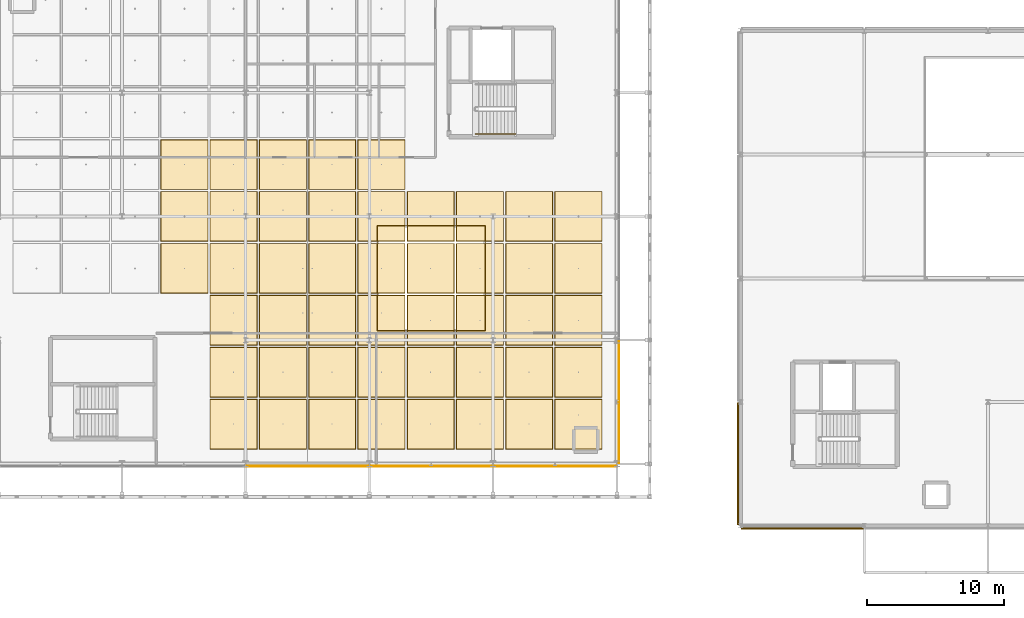
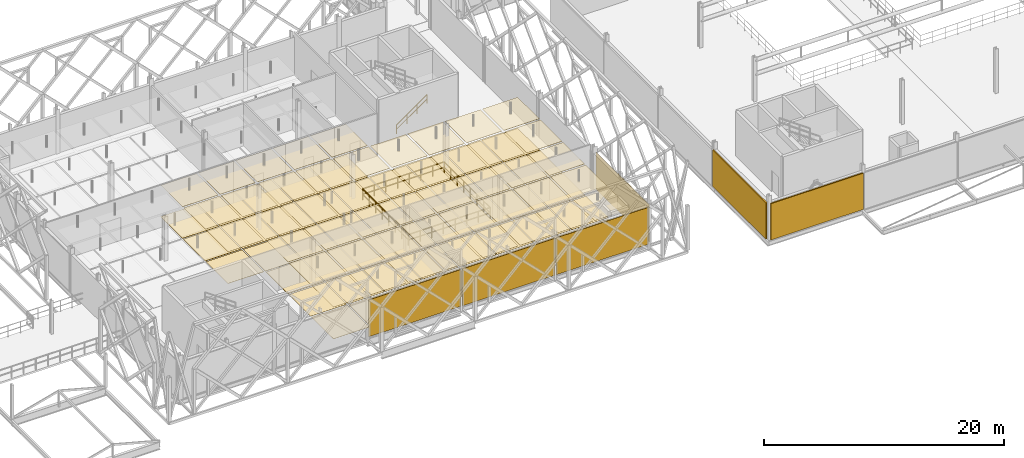
# One storey, part 130 of 140: 100 coverings, 2 railings.
"""IFC4 building model written with IfcOpenShell, lengths in metres."""

from ifc_helpers import new_model, si_unit, direction, frame, origin, origin_2d, place, context, subcontext, project, spatial, rectangle, circle, extrude, material, layer, layer_set, type_object, element, save


model = new_model("IFC4")

# Units and contexts
model_context = context("Model", 3, precision=1e-05, world=origin(), true_north=direction((0.0, 1.0)))
body_context = subcontext(model_context, "Body", "Model", "MODEL_VIEW")
ifc_project = project(units=[si_unit("LENGTHUNIT", "METRE"), si_unit("AREAUNIT", "SQUARE_METRE"), si_unit("VOLUMEUNIT", "CUBIC_METRE"), si_unit("PLANEANGLEUNIT", "RADIAN"), si_unit("MASSUNIT", "GRAM", prefix="KILO"), si_unit("THERMODYNAMICTEMPERATUREUNIT", "KELVIN"), si_unit("POWERUNIT", "WATT")], contexts=[model_context])

# Site, building, storey
site_placement = place(None, origin())
site = spatial("IfcSite", under=ifc_project, at=site_placement, CompositionType="ELEMENT")
building_placement = place(site_placement, origin())
building = spatial("IfcBuilding", under=site, at=building_placement, Name="Tallowbark Science Centre", CompositionType="ELEMENT")
storey_placement = place(building_placement, frame((0.0, 0.0, 9.89990234375)))
storey = spatial("IfcBuildingStorey", under=building, at=storey_placement, Name="L02", CompositionType="ELEMENT", Elevation=9.89990234375)

# Coverings
ifc_material_1 = material(Name="Perforated Spotted Gum Acoustic Baffle Ceiling", Category="wood")
ifc_layer_1 = layer(ifc_material_1, 0.02490234375)
ifc_layer_set_1 = layer_set([ifc_layer_1], Name="Perforated Spotted Gum Acoustic Baffle Ceiling")
covering_type_1 = type_object("IfcCoveringType", Name="CLG-TIM-25", PredefinedType="CEILING", material=ifc_layer_set_1)
for number, where, z_axis, x_axis, name in (
    (1, (72.041748046875, 18.72216796875, 3.187744140625), (0.0, 0.0, 1.0), (1.0, 0.0, 0.0), "Suspended Ceiling L02-786"),
    (2, (72.041748046875, 22.5, 3.187744140625), (0.0, 0.0, 1.0), (1.0, 0.0, 0.0), "Suspended Ceiling L02-787"),
    (3, (72.041748046875, 26.27783203125, 3.187744140625), (0.0, 0.0, 1.0), (1.0, 0.0, 0.0), "Suspended Ceiling L02-788"),
    (4, (75.625, 7.388916015625, 3.187744140625), (0.0, 0.0, 1.0), (1.0, 0.0, 0.0), "Suspended Ceiling L02-792"),
    (5, (75.625, 11.166748046875, 3.187744140625), (0.0, 0.0, 1.0), (1.0, 0.0, 0.0), "Suspended Ceiling L02-793"),
    (6, (75.625, 14.9443359375, 3.187744140625), (0.0, 0.0, 1.0), (1.0, 0.0, 0.0), "Suspended Ceiling L02-794"),
    (7, (75.625, 18.72216796875, 3.187744140625), (0.0, 0.0, 1.0), (1.0, 0.0, 0.0), "Suspended Ceiling L02-795"),
    (8, (75.625, 22.5, 3.187744140625), (0.0, 0.0, 1.0), (1.0, 0.0, 0.0), "Suspended Ceiling L02-796"),
    (9, (75.625, 26.27783203125, 3.187744140625), (0.0, 0.0, 1.0), (1.0, 0.0, 0.0), "Suspended Ceiling L02-797"),
    (10, (79.208251953125, 7.388916015625, 3.187744140625), (0.0, 0.0, 1.0), (1.0, 0.0, 0.0), "Suspended Ceiling L02-801"),
    (11, (79.208251953125, 11.166748046875, 3.187744140625), (0.0, 0.0, 1.0), (1.0, 0.0, 0.0), "Suspended Ceiling L02-802"),
    (12, (79.208251953125, 14.9443359375, 3.187744140625), (0.0, 0.0, 1.0), (1.0, 0.0, 0.0), "Suspended Ceiling L02-803"),
    (13, (79.208251953125, 18.72216796875, 3.187744140625), (0.0, 0.0, 1.0), (1.0, 0.0, 0.0), "Suspended Ceiling L02-804"),
    (14, (79.208251953125, 22.5, 3.187744140625), (0.0, 0.0, 1.0), (1.0, 0.0, 0.0), "Suspended Ceiling L02-805"),
    (15, (79.208251953125, 26.27783203125, 3.187744140625), (0.0, 0.0, 1.0), (1.0, 0.0, 0.0), "Suspended Ceiling L02-806"),
    (16, (82.791748046875, 7.388916015625, 3.187744140625), (0.0, 0.0, 1.0), (1.0, 0.0, 0.0), "Suspended Ceiling L02-810"),
    (17, (82.791748046875, 11.166748046875, 3.187744140625), (0.0, 0.0, 1.0), (1.0, 0.0, 0.0), "Suspended Ceiling L02-811"),
    (18, (82.791748046875, 14.9443359375, 3.187744140625), (0.0, 0.0, 1.0), (1.0, 0.0, 0.0), "Suspended Ceiling L02-812"),
    (19, (82.791748046875, 18.72216796875, 3.187744140625), (0.0, 0.0, 1.0), (1.0, 0.0, 0.0), "Suspended Ceiling L02-813"),
    (20, (82.791748046875, 22.5, 3.187744140625), (0.0, 0.0, 1.0), (1.0, 0.0, 0.0), "Suspended Ceiling L02-814"),
    (21, (82.791748046875, 26.27783203125, 3.187744140625), (0.0, 0.0, 1.0), (1.0, 0.0, 0.0), "Suspended Ceiling L02-815"),
    (22, (86.375, 7.388916015625, 3.187744140625), (0.0, 0.0, 1.0), (1.0, 0.0, 0.0), "Suspended Ceiling L02-819"),
    (23, (86.375, 11.166748046875, 3.187744140625), (0.0, 0.0, 1.0), (1.0, 0.0, 0.0), "Suspended Ceiling L02-820"),
    (24, (86.375, 14.9443359375, 3.187744140625), (0.0, 0.0, 1.0), (1.0, 0.0, 0.0), "Suspended Ceiling L02-821"),
    (25, (86.375, 18.72216796875, 3.187744140625), (0.0, 0.0, 1.0), (1.0, 0.0, 0.0), "Suspended Ceiling L02-822"),
    (26, (86.375, 22.5, 3.187744140625), (0.0, 0.0, 1.0), (1.0, 0.0, 0.0), "Suspended Ceiling L02-823"),
    (27, (86.375, 26.27783203125, 3.187744140625), (0.0, 0.0, 1.0), (1.0, 0.0, 0.0), "Suspended Ceiling L02-824"),
    (28, (89.958251953125, 7.388916015625, 3.187744140625), (0.0, 0.0, 1.0), (1.0, 0.0, 0.0), "Suspended Ceiling L02-828"),
    (29, (89.958251953125, 11.166748046875, 3.187744140625), (0.0, 0.0, 1.0), (1.0, 0.0, 0.0), "Suspended Ceiling L02-829"),
    (30, (89.958251953125, 14.9443359375, 3.187744140625), (0.0, 0.0, 1.0), (1.0, 0.0, 0.0), "Suspended Ceiling L02-830"),
    (31, (89.958251953125, 18.72216796875, 3.187744140625), (0.0, 0.0, 1.0), (1.0, 0.0, 0.0), "Suspended Ceiling L02-831"),
    (32, (89.958251953125, 22.5, 3.187744140625), (0.0, 0.0, 1.0), (1.0, 0.0, 0.0), "Suspended Ceiling L02-832"),
    (33, (93.541748046875, 7.388916015625, 3.187744140625), (0.0, 0.0, 1.0), (1.0, 0.0, 0.0), "Suspended Ceiling L02-833"),
    (34, (93.541748046875, 11.166748046875, 3.187744140625), (0.0, 0.0, 1.0), (1.0, 0.0, 0.0), "Suspended Ceiling L02-834"),
    (35, (93.541748046875, 14.9443359375, 3.187744140625), (0.0, 0.0, 1.0), (1.0, 0.0, 0.0), "Suspended Ceiling L02-835"),
    (36, (93.541748046875, 18.72216796875, 3.187744140625), (0.0, 0.0, 1.0), (1.0, 0.0, 0.0), "Suspended Ceiling L02-836"),
    (37, (93.541748046875, 22.5, 3.187744140625), (0.0, 0.0, 1.0), (1.0, 0.0, 0.0), "Suspended Ceiling L02-837"),
    (38, (97.125, 7.388916015625, 3.187744140625), (0.0, 0.0, 1.0), (1.0, 0.0, 0.0), "Suspended Ceiling L02-838"),
    (39, (97.125, 11.166748046875, 3.187744140625), (0.0, 0.0, 1.0), (1.0, 0.0, 0.0), "Suspended Ceiling L02-839"),
    (40, (97.125, 14.9443359375, 3.187744140625), (0.0, 0.0, 1.0), (1.0, 0.0, 0.0), "Suspended Ceiling L02-840"),
    (41, (97.125, 18.72216796875, 3.187744140625), (0.0, 0.0, 1.0), (1.0, 0.0, 0.0), "Suspended Ceiling L02-841"),
    (42, (97.125, 22.5, 3.187744140625), (0.0, 0.0, 1.0), (1.0, 0.0, 0.0), "Suspended Ceiling L02-842"),
    (43, (100.708251953125, 7.388916015625, 3.187744140625), (0.0, 0.0, 1.0), (1.0, 0.0, 0.0), "Suspended Ceiling L02-843"),
    (44, (100.708251953125, 11.166748046875, 3.187744140625), (0.0, 0.0, 1.0), (1.0, 0.0, 0.0), "Suspended Ceiling L02-844"),
    (45, (100.708251953125, 14.9443359375, 3.187744140625), (0.0, 0.0, 1.0), (1.0, 0.0, 0.0), "Suspended Ceiling L02-845"),
    (46, (100.708251953125, 18.72216796875, 3.187744140625), (0.0, 0.0, 1.0), (1.0, 0.0, 0.0), "Suspended Ceiling L02-846"),
    (47, (100.708251953125, 22.5, 3.187744140625), (0.0, 0.0, 1.0), (1.0, 0.0, 0.0), "Suspended Ceiling L02-847"),
):
    element("IfcCovering", number, at=place(storey_placement, frame(where, z_axis=z_axis, x_axis=x_axis)), inside=storey, type_object=covering_type_1, Name=name, PredefinedType="CEILING", context=body_context, shape_type="SweptSolid", body=[
        extrude(rectangle(XDim=3.4033203125, YDim=3.597900390625, at=origin_2d()), origin(), (0.0, 0.0, 1.0), 0.02490234375),
    ])
ifc_material_2 = material(Name="White Architectural Precast Concrete Grade N40 (40 MPa)", Category="concrete")
ifc_layer_2 = layer(ifc_material_2, 0.1201171875)
ifc_layer_set_2 = layer_set([ifc_layer_2], Name="White Architectural Precast Concrete Grade N40 (40 MPa)")
covering_type_2 = type_object("IfcCoveringType", Name="COV-PRC-CLAD", PredefinedType="CLADDING", material=ifc_layer_set_2)
for number, where, z_axis, x_axis, name in (
    (48, (117.0, -0.1923828125, 0.050048828125), (0.0, 0.0, 1.0), (1.0, 0.0, 0.0), "Architectural Rainscreen THT-S-L02-0"),
    (49, (112.3076171875, 4.5, 0.050048828125), (0.0, 0.0, 1.0), (0.0, -1.0, 0.0), "Architectural Rainscreen THT-W-L02-0"),
):
    element("IfcCovering", number, at=place(storey_placement, frame(where, z_axis=z_axis, x_axis=x_axis)), inside=storey, type_object=covering_type_2, Name=name, PredefinedType="CLADDING", context=body_context, shape_type="SweptSolid", body=[
        extrude(rectangle(XDim=8.8798828125, YDim=0.1201171875, at=origin_2d()), origin(), (0.0, 0.0, 1.0), 3.68115234375),
    ])
ifc_material_3 = material(Name="Spotted Gum Hardwood Architectural Rainscreen", Category="wood")
ifc_layer_3 = layer(ifc_material_3, 0.0419921875)
ifc_layer_set_3 = layer_set([ifc_layer_3], Name="Spotted Gum Hardwood Architectural Rainscreen")
covering_type_3 = type_object("IfcCoveringType", Name="COV-TIM-CLAD", PredefinedType="CLADDING", material=ifc_layer_set_3)
for number, where, z_axis, x_axis, name in (
    (50, (81.0, 4.33154296875, 0.050048828125), (0.0, 0.0, 1.0), (1.0, 0.0, 0.0), "Architectural Rainscreen CUB-S-L02-2"),
    (51, (90.0, 4.33154296875, 0.050048828125), (0.0, 0.0, 1.0), (1.0, 0.0, 0.0), "Architectural Rainscreen CUB-S-L02-3"),
    (52, (99.0, 4.33154296875, 0.050048828125), (0.0, 0.0, 1.0), (1.0, 0.0, 0.0), "Architectural Rainscreen CUB-S-L02-4"),
    (53, (103.66845703125, 9.0, 0.050048828125), (0.0, 0.0, 1.0), (0.0, 1.0, 0.0), "Architectural Rainscreen CUB-E-L02-0"),
):
    element("IfcCovering", number, at=place(storey_placement, frame(where, z_axis=z_axis, x_axis=x_axis)), inside=storey, type_object=covering_type_3, Name=name, PredefinedType="CLADDING", context=body_context, shape_type="SweptSolid", body=[
        extrude(rectangle(XDim=8.8798828125, YDim=0.0419921875, at=origin_2d()), origin(), (0.0, 0.0, 1.0), 3.74609375),
    ])
ifc_material_4 = material(Name="Engineered Blackbutt Gallery Timber Flooring", Category="wood")
ifc_layer_4 = layer(ifc_material_4, 0.02197265625)
ifc_layer_set_4 = layer_set([ifc_layer_4], Name="Engineered Blackbutt Gallery Timber Flooring")
covering_type_4 = type_object("IfcCoveringType", Name="FLR-TIM-22", PredefinedType="FLOORING", material=ifc_layer_set_4)
for number, where, z_axis, x_axis, name in (
    (54, (72.041748046875, 18.72216796875, 0.0), (0.0, 0.0, 1.0), (1.0, 0.0, 0.0), "Floor Finish L02-786"),
    (55, (72.041748046875, 22.5, 0.0), (0.0, 0.0, 1.0), (1.0, 0.0, 0.0), "Floor Finish L02-787"),
    (56, (72.041748046875, 26.27783203125, 0.0), (0.0, 0.0, 1.0), (1.0, 0.0, 0.0), "Floor Finish L02-788"),
    (57, (75.625, 7.388916015625, 0.0), (0.0, 0.0, 1.0), (1.0, 0.0, 0.0), "Floor Finish L02-792"),
    (58, (75.625, 11.166748046875, 0.0), (0.0, 0.0, 1.0), (1.0, 0.0, 0.0), "Floor Finish L02-793"),
    (59, (75.625, 14.9443359375, 0.0), (0.0, 0.0, 1.0), (1.0, 0.0, 0.0), "Floor Finish L02-794"),
    (60, (75.625, 18.72216796875, 0.0), (0.0, 0.0, 1.0), (1.0, 0.0, 0.0), "Floor Finish L02-795"),
    (61, (75.625, 22.5, 0.0), (0.0, 0.0, 1.0), (1.0, 0.0, 0.0), "Floor Finish L02-796"),
    (62, (75.625, 26.27783203125, 0.0), (0.0, 0.0, 1.0), (1.0, 0.0, 0.0), "Floor Finish L02-797"),
    (63, (79.208251953125, 7.388916015625, 0.0), (0.0, 0.0, 1.0), (1.0, 0.0, 0.0), "Floor Finish L02-801"),
    (64, (79.208251953125, 11.166748046875, 0.0), (0.0, 0.0, 1.0), (1.0, 0.0, 0.0), "Floor Finish L02-802"),
    (65, (79.208251953125, 14.9443359375, 0.0), (0.0, 0.0, 1.0), (1.0, 0.0, 0.0), "Floor Finish L02-803"),
    (66, (79.208251953125, 18.72216796875, 0.0), (0.0, 0.0, 1.0), (1.0, 0.0, 0.0), "Floor Finish L02-804"),
    (67, (79.208251953125, 22.5, 0.0), (0.0, 0.0, 1.0), (1.0, 0.0, 0.0), "Floor Finish L02-805"),
    (68, (79.208251953125, 26.27783203125, 0.0), (0.0, 0.0, 1.0), (1.0, 0.0, 0.0), "Floor Finish L02-806"),
    (69, (82.791748046875, 7.388916015625, 0.0), (0.0, 0.0, 1.0), (1.0, 0.0, 0.0), "Floor Finish L02-810"),
    (70, (82.791748046875, 11.166748046875, 0.0), (0.0, 0.0, 1.0), (1.0, 0.0, 0.0), "Floor Finish L02-811"),
    (71, (82.791748046875, 14.9443359375, 0.0), (0.0, 0.0, 1.0), (1.0, 0.0, 0.0), "Floor Finish L02-812"),
    (72, (82.791748046875, 18.72216796875, 0.0), (0.0, 0.0, 1.0), (1.0, 0.0, 0.0), "Floor Finish L02-813"),
    (73, (82.791748046875, 22.5, 0.0), (0.0, 0.0, 1.0), (1.0, 0.0, 0.0), "Floor Finish L02-814"),
    (74, (82.791748046875, 26.27783203125, 0.0), (0.0, 0.0, 1.0), (1.0, 0.0, 0.0), "Floor Finish L02-815"),
    (75, (86.375, 7.388916015625, 0.0), (0.0, 0.0, 1.0), (1.0, 0.0, 0.0), "Floor Finish L02-819"),
    (76, (86.375, 11.166748046875, 0.0), (0.0, 0.0, 1.0), (1.0, 0.0, 0.0), "Floor Finish L02-820"),
    (77, (86.375, 14.9443359375, 0.0), (0.0, 0.0, 1.0), (1.0, 0.0, 0.0), "Floor Finish L02-821"),
    (78, (86.375, 18.72216796875, 0.0), (0.0, 0.0, 1.0), (1.0, 0.0, 0.0), "Floor Finish L02-822"),
    (79, (86.375, 22.5, 0.0), (0.0, 0.0, 1.0), (1.0, 0.0, 0.0), "Floor Finish L02-823"),
    (80, (86.375, 26.27783203125, 0.0), (0.0, 0.0, 1.0), (1.0, 0.0, 0.0), "Floor Finish L02-824"),
    (81, (89.958251953125, 7.388916015625, 0.0), (0.0, 0.0, 1.0), (1.0, 0.0, 0.0), "Floor Finish L02-828"),
    (82, (89.958251953125, 11.166748046875, 0.0), (0.0, 0.0, 1.0), (1.0, 0.0, 0.0), "Floor Finish L02-829"),
    (83, (89.958251953125, 14.9443359375, 0.0), (0.0, 0.0, 1.0), (1.0, 0.0, 0.0), "Floor Finish L02-830"),
    (84, (89.958251953125, 18.72216796875, 0.0), (0.0, 0.0, 1.0), (1.0, 0.0, 0.0), "Floor Finish L02-831"),
    (85, (89.958251953125, 22.5, 0.0), (0.0, 0.0, 1.0), (1.0, 0.0, 0.0), "Floor Finish L02-832"),
    (86, (93.541748046875, 7.388916015625, 0.0), (0.0, 0.0, 1.0), (1.0, 0.0, 0.0), "Floor Finish L02-833"),
    (87, (93.541748046875, 11.166748046875, 0.0), (0.0, 0.0, 1.0), (1.0, 0.0, 0.0), "Floor Finish L02-834"),
    (88, (93.541748046875, 14.9443359375, 0.0), (0.0, 0.0, 1.0), (1.0, 0.0, 0.0), "Floor Finish L02-835"),
    (89, (93.541748046875, 18.72216796875, 0.0), (0.0, 0.0, 1.0), (1.0, 0.0, 0.0), "Floor Finish L02-836"),
    (90, (93.541748046875, 22.5, 0.0), (0.0, 0.0, 1.0), (1.0, 0.0, 0.0), "Floor Finish L02-837"),
    (91, (97.125, 7.388916015625, 0.0), (0.0, 0.0, 1.0), (1.0, 0.0, 0.0), "Floor Finish L02-838"),
    (92, (97.125, 11.166748046875, 0.0), (0.0, 0.0, 1.0), (1.0, 0.0, 0.0), "Floor Finish L02-839"),
    (93, (97.125, 14.9443359375, 0.0), (0.0, 0.0, 1.0), (1.0, 0.0, 0.0), "Floor Finish L02-840"),
    (94, (97.125, 18.72216796875, 0.0), (0.0, 0.0, 1.0), (1.0, 0.0, 0.0), "Floor Finish L02-841"),
    (95, (97.125, 22.5, 0.0), (0.0, 0.0, 1.0), (1.0, 0.0, 0.0), "Floor Finish L02-842"),
    (96, (100.708251953125, 7.388916015625, 0.0), (0.0, 0.0, 1.0), (1.0, 0.0, 0.0), "Floor Finish L02-843"),
    (97, (100.708251953125, 11.166748046875, 0.0), (0.0, 0.0, 1.0), (1.0, 0.0, 0.0), "Floor Finish L02-844"),
    (98, (100.708251953125, 14.9443359375, 0.0), (0.0, 0.0, 1.0), (1.0, 0.0, 0.0), "Floor Finish L02-845"),
    (99, (100.708251953125, 18.72216796875, 0.0), (0.0, 0.0, 1.0), (1.0, 0.0, 0.0), "Floor Finish L02-846"),
    (100, (100.708251953125, 22.5, 0.0), (0.0, 0.0, 1.0), (1.0, 0.0, 0.0), "Floor Finish L02-847"),
):
    element("IfcCovering", number, at=place(storey_placement, frame(where, z_axis=z_axis, x_axis=x_axis)), inside=storey, type_object=covering_type_4, Name=name, PredefinedType="FLOORING", context=body_context, shape_type="SweptSolid", body=[
        extrude(rectangle(XDim=3.46337890625, YDim=3.65771484375, at=origin_2d()), origin(), (0.0, 0.0, 1.0), 0.02197265625),
    ])

# Railings
ifc_material_5 = material(Name="Galvanised Painted Steel and Laminated Glass Balustrade", Category="steel")
ifc_layer_5 = layer(ifc_material_5, 0.070068359375)
ifc_layer_set_5 = layer_set([ifc_layer_5], Name="Galvanised Painted Steel and Laminated Glass Balustrade")
railing_type_1 = type_object("IfcRailingType", Name="RLG-BAL-1150", PredefinedType="BALUSTRADE", material=ifc_layer_set_5)
railing_1_placement = place(storey_placement, frame((86.080078125, 14.179931640625, 0.0)))
element("IfcRailing", 101, at=railing_1_placement, inside=storey, type_object=railing_type_1, Name="Guardrail GD-ATR-L02", PredefinedType="BALUSTRADE", context=body_context, shape_type="SweptSolid", body=[
    extrude(circle(Radius=0.02392578125, at=origin_2d()), frame((0.0, 0.0, 1.1259765625), z_axis=(1.0, 0.0, 0.0), x_axis=(0.0, 1.0, 0.0)), (0.0, 0.0, 1.0), 7.83984375),
    extrude(circle(Radius=0.02392578125, at=origin_2d()), frame((0.0, 0.0, 0.574951171875), z_axis=(1.0, 0.0, 0.0), x_axis=(0.0, 1.0, 0.0)), (0.0, 0.0, 1.0), 7.83984375),
    extrude(circle(Radius=0.02392578125, at=origin_2d()), frame((7.83984375, 0.0, 1.1259765625), z_axis=(0.0, 1.0, 0.0), x_axis=(-1.0, 0.0, 0.0)), (0.0, 0.0, 1.0), 7.64013671875),
    extrude(circle(Radius=0.02392578125, at=origin_2d()), frame((7.83984375, 0.0, 0.574951171875), z_axis=(0.0, 1.0, 0.0), x_axis=(-1.0, 0.0, 0.0)), (0.0, 0.0, 1.0), 7.64013671875),
    extrude(circle(Radius=0.02392578125, at=origin_2d()), frame((7.83984375, 7.64013671875, 1.1259765625), z_axis=(-1.0, 0.0, 0.0), x_axis=(0.0, -1.0, 0.0)), (0.0, 0.0, 1.0), 7.83984375),
    extrude(circle(Radius=0.02392578125, at=origin_2d()), frame((7.83984375, 7.64013671875, 0.574951171875), z_axis=(-1.0, 0.0, 0.0), x_axis=(0.0, -1.0, 0.0)), (0.0, 0.0, 1.0), 7.83984375),
    extrude(circle(Radius=0.02392578125, at=origin_2d()), frame((0.0, 7.64013671875, 1.1259765625), z_axis=(0.0, -1.0, 0.0), x_axis=(1.0, 0.0, 0.0)), (0.0, 0.0, 1.0), 7.64013671875),
    extrude(circle(Radius=0.02392578125, at=origin_2d()), frame((0.0, 7.64013671875, 0.574951171875), z_axis=(0.0, -1.0, 0.0), x_axis=(1.0, 0.0, 0.0)), (0.0, 0.0, 1.0), 7.64013671875),
    extrude(circle(Radius=0.02099609375, at=origin_2d()), origin(), (0.0, 0.0, 1.0), 1.101806640625),
    extrude(circle(Radius=0.02099609375, at=origin_2d()), frame((1.119873046875, 0.0, 0.0)), (0.0, 0.0, 1.0), 1.101806640625),
    extrude(circle(Radius=0.02099609375, at=origin_2d()), frame((2.239990234375, 0.0, 0.0)), (0.0, 0.0, 1.0), 1.101806640625),
    extrude(circle(Radius=0.02099609375, at=origin_2d()), frame((3.35986328125, 0.0, 0.0)), (0.0, 0.0, 1.0), 1.101806640625),
    extrude(circle(Radius=0.02099609375, at=origin_2d()), frame((4.47998046875, 0.0, 0.0)), (0.0, 0.0, 1.0), 1.101806640625),
    extrude(circle(Radius=0.02099609375, at=origin_2d()), frame((5.599853515625, 0.0, 0.0)), (0.0, 0.0, 1.0), 1.101806640625),
    extrude(circle(Radius=0.02099609375, at=origin_2d()), frame((6.719970703125, 0.0, 0.0)), (0.0, 0.0, 1.0), 1.101806640625),
    extrude(circle(Radius=0.02099609375, at=origin_2d()), frame((7.83984375, 0.0, 0.0)), (0.0, 0.0, 1.0), 1.101806640625),
    extrude(circle(Radius=0.02099609375, at=origin_2d()), frame((7.83984375, 1.091552734375, 0.0)), (0.0, 0.0, 1.0), 1.101806640625),
    extrude(circle(Radius=0.02099609375, at=origin_2d()), frame((7.83984375, 2.182861328125, 0.0)), (0.0, 0.0, 1.0), 1.101806640625),
    extrude(circle(Radius=0.02099609375, at=origin_2d()), frame((7.83984375, 3.2744140625, 0.0)), (0.0, 0.0, 1.0), 1.101806640625),
    extrude(circle(Radius=0.02099609375, at=origin_2d()), frame((7.83984375, 4.36572265625, 0.0)), (0.0, 0.0, 1.0), 1.101806640625),
    extrude(circle(Radius=0.02099609375, at=origin_2d()), frame((7.83984375, 5.457275390625, 0.0)), (0.0, 0.0, 1.0), 1.101806640625),
    extrude(circle(Radius=0.02099609375, at=origin_2d()), frame((7.83984375, 6.548583984375, 0.0)), (0.0, 0.0, 1.0), 1.101806640625),
    extrude(circle(Radius=0.02099609375, at=origin_2d()), frame((7.83984375, 7.64013671875, 0.0)), (0.0, 0.0, 1.0), 1.101806640625),
    extrude(circle(Radius=0.02099609375, at=origin_2d()), frame((6.719970703125, 7.64013671875, 0.0)), (0.0, 0.0, 1.0), 1.101806640625),
    extrude(circle(Radius=0.02099609375, at=origin_2d()), frame((5.599853515625, 7.64013671875, 0.0)), (0.0, 0.0, 1.0), 1.101806640625),
    extrude(circle(Radius=0.02099609375, at=origin_2d()), frame((4.47998046875, 7.64013671875, 0.0)), (0.0, 0.0, 1.0), 1.101806640625),
    extrude(circle(Radius=0.02099609375, at=origin_2d()), frame((3.35986328125, 7.64013671875, 0.0)), (0.0, 0.0, 1.0), 1.101806640625),
    extrude(circle(Radius=0.02099609375, at=origin_2d()), frame((2.239990234375, 7.64013671875, 0.0)), (0.0, 0.0, 1.0), 1.101806640625),
    extrude(circle(Radius=0.02099609375, at=origin_2d()), frame((1.119873046875, 7.64013671875, 0.0)), (0.0, 0.0, 1.0), 1.101806640625),
    extrude(circle(Radius=0.02099609375, at=origin_2d()), frame((0.0, 7.64013671875, 0.0)), (0.0, 0.0, 1.0), 1.101806640625),
    extrude(circle(Radius=0.02099609375, at=origin_2d()), frame((0.0, 6.548583984375, 0.0)), (0.0, 0.0, 1.0), 1.101806640625),
    extrude(circle(Radius=0.02099609375, at=origin_2d()), frame((0.0, 5.457275390625, 0.0)), (0.0, 0.0, 1.0), 1.101806640625),
    extrude(circle(Radius=0.02099609375, at=origin_2d()), frame((0.0, 4.36572265625, 0.0)), (0.0, 0.0, 1.0), 1.101806640625),
    extrude(circle(Radius=0.02099609375, at=origin_2d()), frame((0.0, 3.2744140625, 0.0)), (0.0, 0.0, 1.0), 1.101806640625),
    extrude(circle(Radius=0.02099609375, at=origin_2d()), frame((0.0, 2.182861328125, 0.0)), (0.0, 0.0, 1.0), 1.101806640625),
    extrude(circle(Radius=0.02099609375, at=origin_2d()), frame((0.0, 1.091552734375, 0.0)), (0.0, 0.0, 1.0), 1.101806640625),
])
ifc_material_6 = material(Name="Brushed Grade 316 Stainless Steel Handrail", Category="steel")
ifc_layer_6 = layer(ifc_material_6, 0.050048828125)
ifc_layer_set_6 = layer_set([ifc_layer_6], Name="Brushed Grade 316 Stainless Steel Handrail")
railing_type_2 = type_object("IfcRailingType", Name="RLG-HDR-950", PredefinedType="HANDRAIL", material=ifc_layer_set_6)
railing_2_placement = place(storey_placement, frame((93.2099609375, 28.5, 0.1875)))
element("IfcRailing", 102, at=railing_2_placement, inside=storey, type_object=railing_type_2, Name="L02 ST-03 stair handrail 1", PredefinedType="HANDRAIL", context=body_context, shape_type="SweptSolid", body=[
    extrude(circle(Radius=0.02392578125, at=origin_2d()), frame((0.0, 0.0, 0.8759765625), z_axis=(0.816330724661, 0.0, 0.577584753931), x_axis=(0.0, 1.0, 0.0)), (0.0, 0.0, 1.0), 3.57080078125),
    extrude(circle(Radius=0.02392578125, at=origin_2d()), frame((0.0, 0.0, 0.449951171875), z_axis=(0.816330724661, 0.0, 0.577584753931), x_axis=(0.0, 1.0, 0.0)), (0.0, 0.0, 1.0), 3.57080078125),
    extrude(circle(Radius=0.02099609375, at=origin_2d()), origin(), (0.0, 0.0, 1.0), 0.851806640625),
    extrude(circle(Radius=0.02099609375, at=origin_2d()), frame((0.9716796875, 0.0, 0.6875)), (0.0, 0.0, 1.0), 0.851806640625),
    extrude(circle(Radius=0.02099609375, at=origin_2d()), frame((1.943359375, 0.0, 1.375)), (0.0, 0.0, 1.0), 0.851806640625),
    extrude(circle(Radius=0.02099609375, at=origin_2d()), frame((2.9150390625, 0.0, 2.0625)), (0.0, 0.0, 1.0), 0.851806640625),
])

save(model, "model.ifc")
